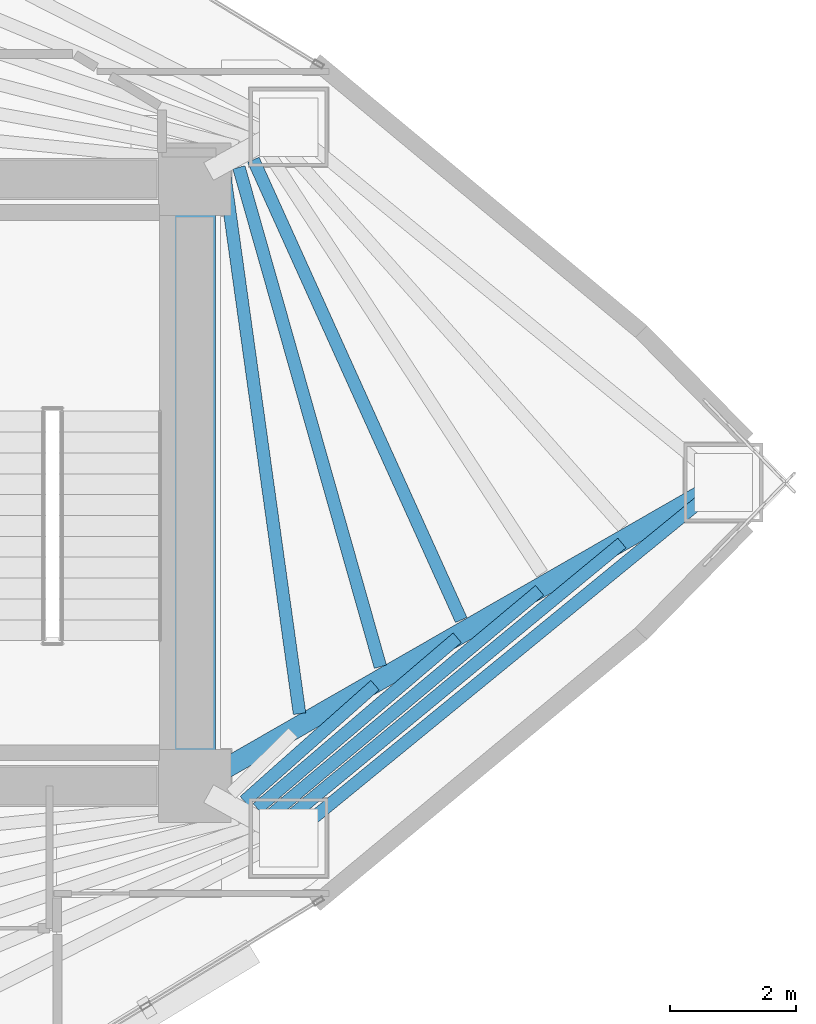
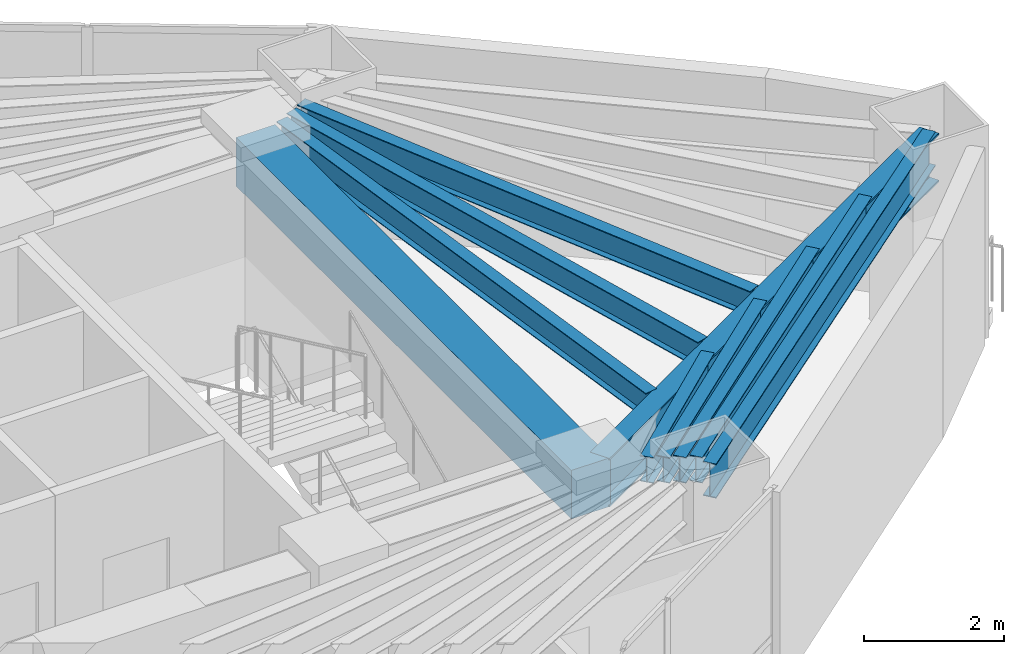
# One storey, part 6 of 16: 10 beams.
"""IFC4 building model written with IfcOpenShell, lengths in metres."""

from ifc_helpers import new_model, si_unit, direction, frame, origin, origin_2d, place, context, subcontext, project, spatial, rectangle, i_section, extrude, material, material_profile, profile_set, type_object, element, save


model = new_model("IFC4")

# Units and contexts
model_context = context("Model", 3, precision=1e-05, world=origin(), true_north=direction((0.0, 1.0)))
body_context = subcontext(model_context, "Body", "Model", "MODEL_VIEW")
ifc_project = project(units=[si_unit("LENGTHUNIT", "METRE"), si_unit("AREAUNIT", "SQUARE_METRE"), si_unit("VOLUMEUNIT", "CUBIC_METRE"), si_unit("PLANEANGLEUNIT", "RADIAN"), si_unit("MASSUNIT", "GRAM", prefix="KILO")], contexts=[model_context])

# Site, building, storey
site_placement = place(None, origin())
site = spatial("IfcSite", under=ifc_project, at=site_placement, CompositionType="ELEMENT")
building_placement = place(site_placement, origin())
building = spatial("IfcBuilding", under=site, at=building_placement, Name="Menara Vayukalpa", CompositionType="ELEMENT")
storey_placement = place(building_placement, frame((0.0, 0.0, 72.239990234375)))
storey = spatial("IfcBuildingStorey", under=building, at=storey_placement, Name="L17", CompositionType="ELEMENT", Elevation=72.239990234375)

# Beams
ifc_material_1 = material(Name="Concrete C60/75", Category="concrete")
ifc_material_profile_1 = material_profile(ifc_material_1, rectangle(XDim=0.64990234375, YDim=0.85009765625, at=origin_2d()), Name="RC 650x850")
ifc_profile_set_1 = profile_set([ifc_material_profile_1], Name="Concrete C60/75")
beam_type_1 = type_object("IfcBeamType", Name="BM-CB1", PredefinedType="BEAM", material=ifc_profile_set_1)
beam_1_placement = place(storey_placement, frame((33.39990234375, 17.199951171875, 3.044921875), z_axis=(0.0, 1.0, 0.0), x_axis=(-1.0, 0.0, 0.0)))
element("IfcBeam", 1, at=beam_1_placement, inside=storey, type_object=beam_type_1, Name="L17 Core Tie Beam CBR8", PredefinedType="BEAM", context=body_context, shape_type="SweptSolid", body=[
    extrude(rectangle(XDim=0.64990234375, YDim=0.85009765625, at=origin_2d()), origin(), (0.0, 0.0, 1.0), 9.60009765625),
])
ifc_material_2 = material(Name="Steel S355", Category="steel")
ifc_material_profile_2 = material_profile(ifc_material_2, i_section(OverallWidth=0.320068359375, OverallDepth=0.85009765625, WebThickness=0.01611328125, FlangeThickness=0.030029296875, at=origin_2d()), Name="WF 850x320x16x30")
ifc_profile_set_2 = profile_set([ifc_material_profile_2], Name="Steel S355")
beam_type_2 = type_object("IfcBeamType", Name="BM-PG2", PredefinedType="BEAM", material=ifc_profile_set_2)
beam_2_placement = place(storey_placement, frame((33.61669921875, 17.324462890625, 3.044921875), z_axis=(0.867273673572, 0.497831673488, 0.0), x_axis=(-0.497831673488, 0.867273673572, 0.0)))
element("IfcBeam", 2, at=beam_2_placement, inside=storey, type_object=beam_type_2, Name="L17 Primary Radial Girder RG01", PredefinedType="BEAM", context=body_context, shape_type="SweptSolid", body=[
    extrude(i_section(OverallWidth=0.320068359375, OverallDepth=0.85009765625, WebThickness=0.01611328125, FlangeThickness=0.030029296875, at=origin_2d()), origin(), (0.0, 0.0, 1.0), 9.391845703125),
])
ifc_material_3 = material(Name="Steel S355", Category="steel")
ifc_material_profile_3 = material_profile(ifc_material_3, i_section(OverallWidth=0.199951171875, OverallDepth=0.449951171875, WebThickness=0.009033203125, FlangeThickness=0.013916015625, at=origin_2d()), Name="WF 450x200x9x14")
ifc_profile_set_3 = profile_set([ifc_material_profile_3], Name="Steel S355")
beam_type_3 = type_object("IfcBeamType", Name="BM-SJ1", PredefinedType="JOIST", material=ifc_profile_set_3)
beam_3_placement = place(storey_placement, frame((35.05810546875, 18.344482421875, 3.2451171875), z_axis=(-0.137834297044, 0.990455302655, 0.0), x_axis=(-0.990455302655, -0.137834297044, 0.0)))
element("IfcBeam", 3, at=beam_3_placement, inside=storey, type_object=beam_type_3, Name="L17 Secondary Floor Joist SJ01-1", PredefinedType="JOIST", context=body_context, shape_type="SweptSolid", body=[
    extrude(i_section(OverallWidth=0.199951171875, OverallDepth=0.449951171875, WebThickness=0.009033203125, FlangeThickness=0.013916015625, at=origin_2d()), origin(), (0.0, 0.0, 1.0), 8.6064453125),
])
beam_4_placement = place(storey_placement, frame((36.337158203125, 19.08740234375, 3.2451171875), z_axis=(-0.272611289775, 0.962124256366, 0.0), x_axis=(-0.962124256366, -0.272611289775, 0.0)))
element("IfcBeam", 4, at=beam_4_placement, inside=storey, type_object=beam_type_3, Name="L17 Secondary Floor Joist SJ01-2", PredefinedType="JOIST", context=body_context, shape_type="SweptSolid", body=[
    extrude(i_section(OverallWidth=0.199951171875, OverallDepth=0.449951171875, WebThickness=0.009033203125, FlangeThickness=0.013916015625, at=origin_2d()), origin(), (0.0, 0.0, 1.0), 8.209716796875),
])
beam_5_placement = place(storey_placement, frame((37.615234375, 19.826416015625, 3.2451171875), z_axis=(-0.411600641696, 0.911364313409, 0.0), x_axis=(-0.911364313409, -0.411600641696, 0.0)))
element("IfcBeam", 5, at=beam_5_placement, inside=storey, type_object=beam_type_3, Name="L17 Secondary Floor Joist SJ01-3", PredefinedType="JOIST", context=body_context, shape_type="SweptSolid", body=[
    extrude(i_section(OverallWidth=0.199951171875, OverallDepth=0.449951171875, WebThickness=0.009033203125, FlangeThickness=0.013916015625, at=origin_2d()), origin(), (0.0, 0.0, 1.0), 7.989013671875),
])
beam_6_placement = place(storey_placement, frame((34.1845703125, 16.960205078125, 3.2451171875), z_axis=(0.74790626356, 0.663804354405, 0.0), x_axis=(-0.663804354405, 0.74790626356, 0.0)))
element("IfcBeam", 6, at=beam_6_placement, inside=storey, type_object=beam_type_3, Name="L17 Secondary Floor Joist SJ09-2", PredefinedType="JOIST", context=body_context, shape_type="SweptSolid", body=[
    extrude(i_section(OverallWidth=0.199951171875, OverallDepth=0.449951171875, WebThickness=0.009033203125, FlangeThickness=0.013916015625, at=origin_2d()), origin(), (0.0, 0.0, 1.0), 2.763671875),
])
beam_7_placement = place(storey_placement, frame((34.3896484375, 16.845703125, 3.2451171875), z_axis=(0.76059773561, 0.649223447347, 0.0), x_axis=(-0.649223447347, 0.76059773561, 0.0)))
element("IfcBeam", 7, at=beam_7_placement, inside=storey, type_object=beam_type_3, Name="L17 Secondary Floor Joist SJ09-3", PredefinedType="JOIST", context=body_context, shape_type="SweptSolid", body=[
    extrude(i_section(OverallWidth=0.199951171875, OverallDepth=0.449951171875, WebThickness=0.009033203125, FlangeThickness=0.013916015625, at=origin_2d()), origin(), (0.0, 0.0, 1.0), 4.158447265625),
])
beam_8_placement = place(storey_placement, frame((34.59375, 16.73193359375, 3.2451171875), z_axis=(0.767124851395, 0.641497827255, 0.0), x_axis=(-0.641497827255, 0.767124851395, 0.0)))
element("IfcBeam", 8, at=beam_8_placement, inside=storey, type_object=beam_type_3, Name="L17 Secondary Floor Joist SJ09-4", PredefinedType="JOIST", context=body_context, shape_type="SweptSolid", body=[
    extrude(i_section(OverallWidth=0.199951171875, OverallDepth=0.449951171875, WebThickness=0.009033203125, FlangeThickness=0.013916015625, at=origin_2d()), origin(), (0.0, 0.0, 1.0), 5.55419921875),
])
beam_9_placement = place(storey_placement, frame((34.79736328125, 16.618896484375, 3.2451171875), z_axis=(0.771152944406, 0.636649932329, 0.0), x_axis=(-0.636649932329, 0.771152944406, 0.0)))
element("IfcBeam", 9, at=beam_9_placement, inside=storey, type_object=beam_type_3, Name="L17 Secondary Floor Joist SJ09-5", PredefinedType="JOIST", context=body_context, shape_type="SweptSolid", body=[
    extrude(i_section(OverallWidth=0.199951171875, OverallDepth=0.449951171875, WebThickness=0.009033203125, FlangeThickness=0.013916015625, at=origin_2d()), origin(), (0.0, 0.0, 1.0), 6.9501953125),
])
ifc_material_4 = material(Name="Steel S355", Category="steel")
ifc_material_profile_4 = material_profile(ifc_material_4, i_section(OverallWidth=0.199951171875, OverallDepth=0.60009765625, WebThickness=0.010986328125, FlangeThickness=0.01708984375, at=origin_2d()), Name="WF 600x200x11x17")
ifc_profile_set_4 = profile_set([ifc_material_profile_4], Name="Steel S355")
beam_type_4 = type_object("IfcBeamType", Name="BM-SP1", PredefinedType="SPANDREL", material=ifc_profile_set_4)
beam_10_placement = place(storey_placement, frame((34.88671875, 16.37841796875, 3.169921875), z_axis=(0.774156906301, 0.632993747541, 0.0), x_axis=(-0.632993747541, 0.774156906301, 0.0)))
element("IfcBeam", 10, at=beam_10_placement, inside=storey, type_object=beam_type_4, Name="L17 Perimeter Spandrel Beam SP09", PredefinedType="SPANDREL", context=body_context, shape_type="SweptSolid", body=[
    extrude(i_section(OverallWidth=0.199951171875, OverallDepth=0.60009765625, WebThickness=0.010986328125, FlangeThickness=0.01708984375, at=origin_2d()), origin(), (0.0, 0.0, 1.0), 8.880859375),
])

save(model, "model.ifc")
